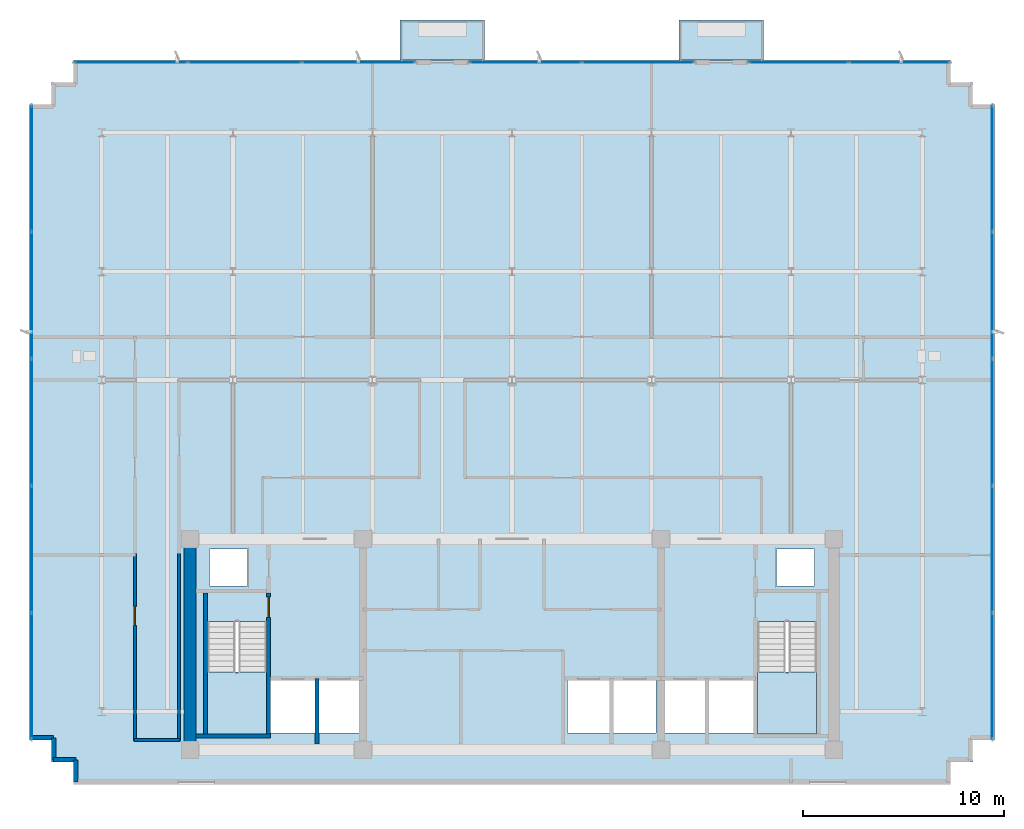
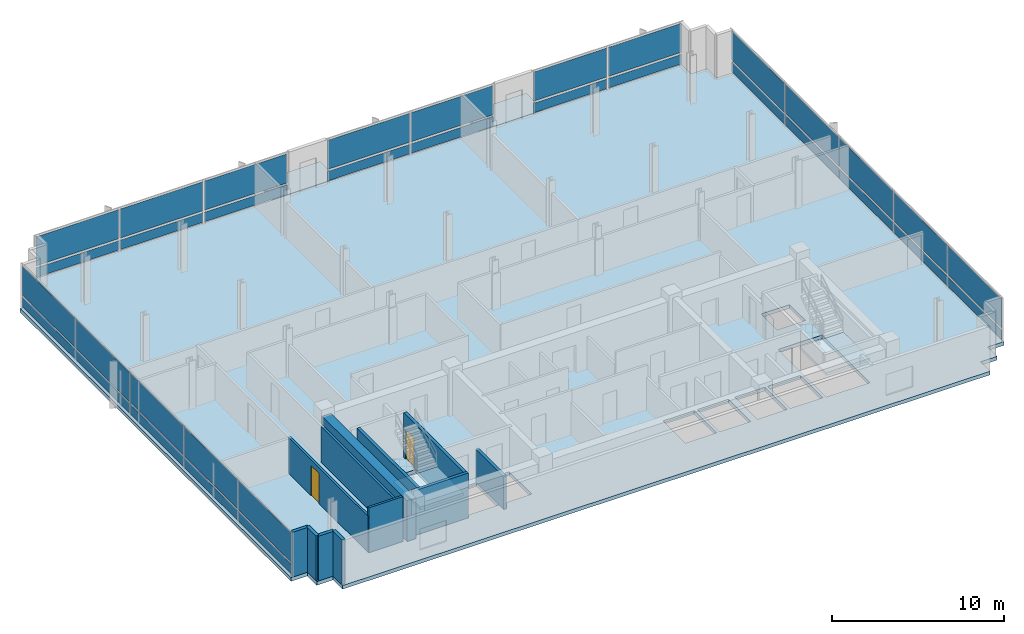
# One storey, part 7 of 13: 34 plates, 12 walls, 5 slabs, 2 doors, 2 openings, 7 elements without a shape of their own.
"""IFC4 building model written with IfcOpenShell, lengths in metres."""

from ifc_helpers import new_model, si_unit, direction, frame, frame_2d, origin, origin_2d, place, context, subcontext, project, spatial, polyline, rectangle, outline, extrude, material, layer, layer_set, type_object, element, fill, aggregate, save


model = new_model("IFC4")

# Units and contexts
model_context = context("Model", 3, precision=1e-05, world=origin(), true_north=direction((0.0, 1.0)))
body_context = subcontext(model_context, "Body", "Model", "MODEL_VIEW")
ifc_project = project(units=[si_unit("LENGTHUNIT", "METRE"), si_unit("AREAUNIT", "SQUARE_METRE"), si_unit("VOLUMEUNIT", "CUBIC_METRE"), si_unit("PLANEANGLEUNIT", "RADIAN"), si_unit("MASSUNIT", "GRAM", prefix="KILO")], contexts=[model_context])

# Site, building, storey
site_placement = place(None, origin())
site = spatial("IfcSite", under=ifc_project, at=site_placement, CompositionType="ELEMENT")
building_placement = place(site_placement, origin())
building = spatial("IfcBuilding", under=site, at=building_placement, Name="Solmavex Isthmus Hotel", CompositionType="ELEMENT")
storey_placement = place(building_placement, frame((0.0, 0.0, 276.449951171875)))
storey = spatial("IfcBuildingStorey", under=building, at=storey_placement, Name="L75", CompositionType="ELEMENT", Elevation=276.449951171875)

# Curtain wall, plates
ifc_material_1 = material(Name="Aluminium alloy 6063-T6", Category="aluminium")
curtain_wall_type = type_object("IfcCurtainWallType", Name="CW-SYS-04", PredefinedType="NOTDEFINED", material=ifc_material_1)
curtain_wall_1_placement = place(storey_placement, origin())
curtain_wall_1 = element("IfcCurtainWall", 1, at=curtain_wall_1_placement, inside=storey, type_object=curtain_wall_type, Name="Stick Curtain Wall CWL-L75-N1", PredefinedType="NOTDEFINED")
ifc_material_2 = material(Name="Clear low-E laminated glass", Category="glass")
ifc_layer_1 = layer(ifc_material_2, 0.033935546875)
ifc_layer_set_1 = layer_set([ifc_layer_1], Name="Clear low-E laminated glass")
plate_type = type_object("IfcPlateType", Name="CW-SYS-04-PNL", PredefinedType="CURTAIN_PANEL", material=ifc_layer_set_1)
plate_1_placement = place(storey_placement, frame((-18.942626953125, 21.179931640625, 0.14990234375), z_axis=(0.0, 0.0, 1.0), x_axis=(1.0, 0.0, 0.0)))
plate_1 = element("IfcPlate", 2, at=plate_1_placement, type_object=plate_type, Name="CW-04 panel 1.1", PredefinedType="CURTAIN_PANEL", context=body_context, shape_type="SweptSolid", body=[
    extrude(rectangle(XDim=5.56494140625, YDim=0.033935546875, at=origin_2d()), origin(), (0.0, 0.0, 1.0), 0.675048828125),
])
plate_2_placement = place(storey_placement, frame((-18.942626953125, 21.179931640625, 0.97509765625), z_axis=(0.0, 0.0, 1.0), x_axis=(1.0, 0.0, 0.0)))
plate_2 = element("IfcPlate", 3, at=plate_2_placement, type_object=plate_type, Name="CW-04 panel 1.2", PredefinedType="CURTAIN_PANEL", context=body_context, shape_type="SweptSolid", body=[
    extrude(rectangle(XDim=5.56494140625, YDim=0.033935546875, at=origin_2d()), origin(), (0.0, 0.0, 1.0), 2.06494140625),
])
plate_3_placement = place(storey_placement, frame((-13.283935546875, 21.179931640625, 0.14990234375), z_axis=(0.0, 0.0, 1.0), x_axis=(1.0, 0.0, 0.0)))
plate_3 = element("IfcPlate", 4, at=plate_3_placement, type_object=plate_type, Name="CW-04 panel 2.1", PredefinedType="CURTAIN_PANEL", context=body_context, shape_type="SweptSolid", body=[
    extrude(rectangle(XDim=5.602294921875, YDim=0.033935546875, at=origin_2d()), origin(), (0.0, 0.0, 1.0), 0.675048828125),
])
plate_4_placement = place(storey_placement, frame((-13.283935546875, 21.179931640625, 0.97509765625), z_axis=(0.0, 0.0, 1.0), x_axis=(1.0, 0.0, 0.0)))
plate_4 = element("IfcPlate", 5, at=plate_4_placement, type_object=plate_type, Name="CW-04 panel 2.2", PredefinedType="CURTAIN_PANEL", context=body_context, shape_type="SweptSolid", body=[
    extrude(rectangle(XDim=5.602294921875, YDim=0.033935546875, at=origin_2d()), origin(), (0.0, 0.0, 1.0), 2.06494140625),
])
plate_5_placement = place(storey_placement, frame((-7.62548828125, 21.179931640625, 0.14990234375), z_axis=(0.0, 0.0, 1.0), x_axis=(1.0, 0.0, 0.0)))
plate_5 = element("IfcPlate", 6, at=plate_5_placement, type_object=plate_type, Name="CW-04 panel 3.1", PredefinedType="CURTAIN_PANEL", context=body_context, shape_type="SweptSolid", body=[
    extrude(rectangle(XDim=5.56494140625, YDim=0.033935546875, at=origin_2d()), origin(), (0.0, 0.0, 1.0), 0.675048828125),
])
plate_6_placement = place(storey_placement, frame((-7.62548828125, 21.179931640625, 0.97509765625), z_axis=(0.0, 0.0, 1.0), x_axis=(1.0, 0.0, 0.0)))
plate_6 = element("IfcPlate", 7, at=plate_6_placement, type_object=plate_type, Name="CW-04 panel 3.2", PredefinedType="CURTAIN_PANEL", context=body_context, shape_type="SweptSolid", body=[
    extrude(rectangle(XDim=5.56494140625, YDim=0.033935546875, at=origin_2d()), origin(), (0.0, 0.0, 1.0), 2.06494140625),
])
aggregate(curtain_wall_1, [plate_1, plate_2, plate_3, plate_4, plate_5, plate_6])

curtain_wall_2_placement = place(storey_placement, origin())
curtain_wall_2 = element("IfcCurtainWall", 8, at=curtain_wall_2_placement, inside=storey, type_object=curtain_wall_type, Name="Stick Curtain Wall CWL-L75-N2", PredefinedType="NOTDEFINED")
plate_7_placement = place(storey_placement, frame((0.668701171875, 21.179931640625, 0.14990234375), z_axis=(0.0, 0.0, 1.0), x_axis=(1.0, 0.0, 0.0)))
plate_7 = element("IfcPlate", 9, at=plate_7_placement, type_object=plate_type, Name="CW-04 panel 1.1", PredefinedType="CURTAIN_PANEL", context=body_context, shape_type="SweptSolid", body=[
    extrude(rectangle(XDim=5.5234375, YDim=0.033935546875, at=origin_2d()), origin(), (0.0, 0.0, 1.0), 0.675048828125),
])
plate_8_placement = place(storey_placement, frame((0.668701171875, 21.179931640625, 0.97509765625), z_axis=(0.0, 0.0, 1.0), x_axis=(1.0, 0.0, 0.0)))
plate_8 = element("IfcPlate", 10, at=plate_8_placement, type_object=plate_type, Name="CW-04 panel 1.2", PredefinedType="CURTAIN_PANEL", context=body_context, shape_type="SweptSolid", body=[
    extrude(rectangle(XDim=5.5234375, YDim=0.033935546875, at=origin_2d()), origin(), (0.0, 0.0, 1.0), 2.06494140625),
])
plate_9_placement = place(storey_placement, frame((6.267333984375, 21.179931640625, 0.14990234375), z_axis=(0.0, 0.0, 1.0), x_axis=(1.0, 0.0, 0.0)))
plate_9 = element("IfcPlate", 11, at=plate_9_placement, type_object=plate_type, Name="CW-04 panel 2.1", PredefinedType="CURTAIN_PANEL", context=body_context, shape_type="SweptSolid", body=[
    extrude(rectangle(XDim=5.5234375, YDim=0.033935546875, at=origin_2d()), origin(), (0.0, 0.0, 1.0), 0.675048828125),
])
plate_10_placement = place(storey_placement, frame((6.267333984375, 21.179931640625, 0.97509765625), z_axis=(0.0, 0.0, 1.0), x_axis=(1.0, 0.0, 0.0)))
plate_10 = element("IfcPlate", 12, at=plate_10_placement, type_object=plate_type, Name="CW-04 panel 2.2", PredefinedType="CURTAIN_PANEL", context=body_context, shape_type="SweptSolid", body=[
    extrude(rectangle(XDim=5.5234375, YDim=0.033935546875, at=origin_2d()), origin(), (0.0, 0.0, 1.0), 2.06494140625),
])
aggregate(curtain_wall_2, [plate_7, plate_8, plate_9, plate_10])

curtain_wall_3_placement = place(storey_placement, origin())
curtain_wall_3 = element("IfcCurtainWall", 13, at=curtain_wall_3_placement, inside=storey, type_object=curtain_wall_type, Name="Stick Curtain Wall CWL-L75-N3", PredefinedType="NOTDEFINED")
plate_11_placement = place(storey_placement, frame((14.246826171875, 21.179931640625, 0.14990234375), z_axis=(0.0, 0.0, 1.0), x_axis=(1.0, 0.0, 0.0)))
plate_11 = element("IfcPlate", 14, at=plate_11_placement, type_object=plate_type, Name="CW-04 panel 1.1", PredefinedType="CURTAIN_PANEL", context=body_context, shape_type="SweptSolid", body=[
    extrude(rectangle(XDim=4.935546875, YDim=0.033935546875, at=origin_2d()), origin(), (0.0, 0.0, 1.0), 0.675048828125),
])
plate_12_placement = place(storey_placement, frame((14.246826171875, 21.179931640625, 0.97509765625), z_axis=(0.0, 0.0, 1.0), x_axis=(1.0, 0.0, 0.0)))
plate_12 = element("IfcPlate", 15, at=plate_12_placement, type_object=plate_type, Name="CW-04 panel 1.2", PredefinedType="CURTAIN_PANEL", context=body_context, shape_type="SweptSolid", body=[
    extrude(rectangle(XDim=4.935546875, YDim=0.033935546875, at=origin_2d()), origin(), (0.0, 0.0, 1.0), 2.06494140625),
])
plate_13_placement = place(storey_placement, frame((19.25732421875, 21.179931640625, 0.14990234375), z_axis=(0.0, 0.0, 1.0), x_axis=(1.0, 0.0, 0.0)))
plate_13 = element("IfcPlate", 16, at=plate_13_placement, type_object=plate_type, Name="CW-04 panel 2.1", PredefinedType="CURTAIN_PANEL", context=body_context, shape_type="SweptSolid", body=[
    extrude(rectangle(XDim=4.935546875, YDim=0.033935546875, at=origin_2d()), origin(), (0.0, 0.0, 1.0), 0.675048828125),
])
plate_14_placement = place(storey_placement, frame((19.25732421875, 21.179931640625, 0.97509765625), z_axis=(0.0, 0.0, 1.0), x_axis=(1.0, 0.0, 0.0)))
plate_14 = element("IfcPlate", 17, at=plate_14_placement, type_object=plate_type, Name="CW-04 panel 2.2", PredefinedType="CURTAIN_PANEL", context=body_context, shape_type="SweptSolid", body=[
    extrude(rectangle(XDim=4.935546875, YDim=0.033935546875, at=origin_2d()), origin(), (0.0, 0.0, 1.0), 2.06494140625),
])
aggregate(curtain_wall_3, [plate_11, plate_12, plate_13, plate_14])

curtain_wall_4_placement = place(storey_placement, origin())
curtain_wall_4 = element("IfcCurtainWall", 18, at=curtain_wall_4_placement, inside=storey, type_object=curtain_wall_type, Name="Stick Curtain Wall CWL-L75-W1", PredefinedType="NOTDEFINED")
plate_15_placement = place(storey_placement, frame((-23.8798828125, -9.3212890625, 0.14990234375), z_axis=(0.0, 0.0, 1.0), x_axis=(0.0, 1.0, 0.0)))
plate_15 = element("IfcPlate", 19, at=plate_15_placement, type_object=plate_type, Name="CW-04 panel 1.1", PredefinedType="CURTAIN_PANEL", context=body_context, shape_type="SweptSolid", body=[
    extrude(rectangle(XDim=6.20751953125, YDim=0.033935546875, at=origin_2d()), origin(), (0.0, 0.0, 1.0), 0.675048828125),
])
plate_16_placement = place(storey_placement, frame((-23.8798828125, -9.3212890625, 0.97509765625), z_axis=(0.0, 0.0, 1.0), x_axis=(0.0, 1.0, 0.0)))
plate_16 = element("IfcPlate", 20, at=plate_16_placement, type_object=plate_type, Name="CW-04 panel 1.2", PredefinedType="CURTAIN_PANEL", context=body_context, shape_type="SweptSolid", body=[
    extrude(rectangle(XDim=6.20751953125, YDim=0.033935546875, at=origin_2d()), origin(), (0.0, 0.0, 1.0), 2.06494140625),
])
plate_17_placement = place(storey_placement, frame((-23.8798828125, -3.02001953125, 0.14990234375), z_axis=(0.0, 0.0, 1.0), x_axis=(0.0, 1.0, 0.0)))
plate_17 = element("IfcPlate", 21, at=plate_17_placement, type_object=plate_type, Name="CW-04 panel 2.1", PredefinedType="CURTAIN_PANEL", context=body_context, shape_type="SweptSolid", body=[
    extrude(rectangle(XDim=6.2451171875, YDim=0.033935546875, at=origin_2d()), origin(), (0.0, 0.0, 1.0), 0.675048828125),
])
plate_18_placement = place(storey_placement, frame((-23.8798828125, -3.02001953125, 0.97509765625), z_axis=(0.0, 0.0, 1.0), x_axis=(0.0, 1.0, 0.0)))
plate_18 = element("IfcPlate", 22, at=plate_18_placement, type_object=plate_type, Name="CW-04 panel 2.2", PredefinedType="CURTAIN_PANEL", context=body_context, shape_type="SweptSolid", body=[
    extrude(rectangle(XDim=6.2451171875, YDim=0.033935546875, at=origin_2d()), origin(), (0.0, 0.0, 1.0), 2.06494140625),
])
plate_19_placement = place(storey_placement, frame((-23.8798828125, 3.300048828125, 0.14990234375), z_axis=(0.0, 0.0, 1.0), x_axis=(0.0, 1.0, 0.0)))
plate_19 = element("IfcPlate", 23, at=plate_19_placement, type_object=plate_type, Name="CW-04 panel 3.1", PredefinedType="CURTAIN_PANEL", context=body_context, shape_type="SweptSolid", body=[
    extrude(rectangle(XDim=6.2451171875, YDim=0.033935546875, at=origin_2d()), origin(), (0.0, 0.0, 1.0), 0.675048828125),
])
plate_20_placement = place(storey_placement, frame((-23.8798828125, 3.300048828125, 0.97509765625), z_axis=(0.0, 0.0, 1.0), x_axis=(0.0, 1.0, 0.0)))
plate_20 = element("IfcPlate", 24, at=plate_20_placement, type_object=plate_type, Name="CW-04 panel 3.2", PredefinedType="CURTAIN_PANEL", context=body_context, shape_type="SweptSolid", body=[
    extrude(rectangle(XDim=6.2451171875, YDim=0.033935546875, at=origin_2d()), origin(), (0.0, 0.0, 1.0), 2.06494140625),
])
plate_21_placement = place(storey_placement, frame((-23.8798828125, 9.6201171875, 0.14990234375), z_axis=(0.0, 0.0, 1.0), x_axis=(0.0, 1.0, 0.0)))
plate_21 = element("IfcPlate", 25, at=plate_21_placement, type_object=plate_type, Name="CW-04 panel 4.1", PredefinedType="CURTAIN_PANEL", context=body_context, shape_type="SweptSolid", body=[
    extrude(rectangle(XDim=6.2451171875, YDim=0.033935546875, at=origin_2d()), origin(), (0.0, 0.0, 1.0), 0.675048828125),
])
plate_22_placement = place(storey_placement, frame((-23.8798828125, 9.6201171875, 0.97509765625), z_axis=(0.0, 0.0, 1.0), x_axis=(0.0, 1.0, 0.0)))
plate_22 = element("IfcPlate", 26, at=plate_22_placement, type_object=plate_type, Name="CW-04 panel 4.2", PredefinedType="CURTAIN_PANEL", context=body_context, shape_type="SweptSolid", body=[
    extrude(rectangle(XDim=6.2451171875, YDim=0.033935546875, at=origin_2d()), origin(), (0.0, 0.0, 1.0), 2.06494140625),
])
plate_23_placement = place(storey_placement, frame((-23.8798828125, 15.921142578125, 0.14990234375), z_axis=(0.0, 0.0, 1.0), x_axis=(0.0, 1.0, 0.0)))
plate_23 = element("IfcPlate", 27, at=plate_23_placement, type_object=plate_type, Name="CW-04 panel 5.1", PredefinedType="CURTAIN_PANEL", context=body_context, shape_type="SweptSolid", body=[
    extrude(rectangle(XDim=6.20751953125, YDim=0.033935546875, at=origin_2d()), origin(), (0.0, 0.0, 1.0), 0.675048828125),
])
plate_24_placement = place(storey_placement, frame((-23.8798828125, 15.921142578125, 0.97509765625), z_axis=(0.0, 0.0, 1.0), x_axis=(0.0, 1.0, 0.0)))
plate_24 = element("IfcPlate", 28, at=plate_24_placement, type_object=plate_type, Name="CW-04 panel 5.2", PredefinedType="CURTAIN_PANEL", context=body_context, shape_type="SweptSolid", body=[
    extrude(rectangle(XDim=6.20751953125, YDim=0.033935546875, at=origin_2d()), origin(), (0.0, 0.0, 1.0), 2.06494140625),
])
aggregate(curtain_wall_4, [plate_15, plate_16, plate_17, plate_18, plate_19, plate_20, plate_21, plate_22, plate_23, plate_24])

curtain_wall_5_placement = place(storey_placement, origin())
curtain_wall_5 = element("IfcCurtainWall", 29, at=curtain_wall_5_placement, inside=storey, type_object=curtain_wall_type, Name="Stick Curtain Wall CWL-L75-E1", PredefinedType="NOTDEFINED")
plate_25_placement = place(storey_placement, frame((23.8798828125, -9.3212890625, 0.14990234375), z_axis=(0.0, 0.0, 1.0), x_axis=(0.0, 1.0, 0.0)))
plate_25 = element("IfcPlate", 30, at=plate_25_placement, type_object=plate_type, Name="CW-04 panel 1.1", PredefinedType="CURTAIN_PANEL", context=body_context, shape_type="SweptSolid", body=[
    extrude(rectangle(XDim=6.20751953125, YDim=0.033935546875, at=origin_2d()), origin(), (0.0, 0.0, 1.0), 0.675048828125),
])
plate_26_placement = place(storey_placement, frame((23.8798828125, -9.3212890625, 0.97509765625), z_axis=(0.0, 0.0, 1.0), x_axis=(0.0, 1.0, 0.0)))
plate_26 = element("IfcPlate", 31, at=plate_26_placement, type_object=plate_type, Name="CW-04 panel 1.2", PredefinedType="CURTAIN_PANEL", context=body_context, shape_type="SweptSolid", body=[
    extrude(rectangle(XDim=6.20751953125, YDim=0.033935546875, at=origin_2d()), origin(), (0.0, 0.0, 1.0), 2.06494140625),
])
plate_27_placement = place(storey_placement, frame((23.8798828125, -3.02001953125, 0.14990234375), z_axis=(0.0, 0.0, 1.0), x_axis=(0.0, 1.0, 0.0)))
plate_27 = element("IfcPlate", 32, at=plate_27_placement, type_object=plate_type, Name="CW-04 panel 2.1", PredefinedType="CURTAIN_PANEL", context=body_context, shape_type="SweptSolid", body=[
    extrude(rectangle(XDim=6.2451171875, YDim=0.033935546875, at=origin_2d()), origin(), (0.0, 0.0, 1.0), 0.675048828125),
])
plate_28_placement = place(storey_placement, frame((23.8798828125, -3.02001953125, 0.97509765625), z_axis=(0.0, 0.0, 1.0), x_axis=(0.0, 1.0, 0.0)))
plate_28 = element("IfcPlate", 33, at=plate_28_placement, type_object=plate_type, Name="CW-04 panel 2.2", PredefinedType="CURTAIN_PANEL", context=body_context, shape_type="SweptSolid", body=[
    extrude(rectangle(XDim=6.2451171875, YDim=0.033935546875, at=origin_2d()), origin(), (0.0, 0.0, 1.0), 2.06494140625),
])
plate_29_placement = place(storey_placement, frame((23.8798828125, 3.300048828125, 0.14990234375), z_axis=(0.0, 0.0, 1.0), x_axis=(0.0, 1.0, 0.0)))
plate_29 = element("IfcPlate", 34, at=plate_29_placement, type_object=plate_type, Name="CW-04 panel 3.1", PredefinedType="CURTAIN_PANEL", context=body_context, shape_type="SweptSolid", body=[
    extrude(rectangle(XDim=6.2451171875, YDim=0.033935546875, at=origin_2d()), origin(), (0.0, 0.0, 1.0), 0.675048828125),
])
plate_30_placement = place(storey_placement, frame((23.8798828125, 3.300048828125, 0.97509765625), z_axis=(0.0, 0.0, 1.0), x_axis=(0.0, 1.0, 0.0)))
plate_30 = element("IfcPlate", 35, at=plate_30_placement, type_object=plate_type, Name="CW-04 panel 3.2", PredefinedType="CURTAIN_PANEL", context=body_context, shape_type="SweptSolid", body=[
    extrude(rectangle(XDim=6.2451171875, YDim=0.033935546875, at=origin_2d()), origin(), (0.0, 0.0, 1.0), 2.06494140625),
])
plate_31_placement = place(storey_placement, frame((23.8798828125, 9.6201171875, 0.14990234375), z_axis=(0.0, 0.0, 1.0), x_axis=(0.0, 1.0, 0.0)))
plate_31 = element("IfcPlate", 36, at=plate_31_placement, type_object=plate_type, Name="CW-04 panel 4.1", PredefinedType="CURTAIN_PANEL", context=body_context, shape_type="SweptSolid", body=[
    extrude(rectangle(XDim=6.2451171875, YDim=0.033935546875, at=origin_2d()), origin(), (0.0, 0.0, 1.0), 0.675048828125),
])
plate_32_placement = place(storey_placement, frame((23.8798828125, 9.6201171875, 0.97509765625), z_axis=(0.0, 0.0, 1.0), x_axis=(0.0, 1.0, 0.0)))
plate_32 = element("IfcPlate", 37, at=plate_32_placement, type_object=plate_type, Name="CW-04 panel 4.2", PredefinedType="CURTAIN_PANEL", context=body_context, shape_type="SweptSolid", body=[
    extrude(rectangle(XDim=6.2451171875, YDim=0.033935546875, at=origin_2d()), origin(), (0.0, 0.0, 1.0), 2.06494140625),
])
plate_33_placement = place(storey_placement, frame((23.8798828125, 15.921142578125, 0.14990234375), z_axis=(0.0, 0.0, 1.0), x_axis=(0.0, 1.0, 0.0)))
plate_33 = element("IfcPlate", 38, at=plate_33_placement, type_object=plate_type, Name="CW-04 panel 5.1", PredefinedType="CURTAIN_PANEL", context=body_context, shape_type="SweptSolid", body=[
    extrude(rectangle(XDim=6.20751953125, YDim=0.033935546875, at=origin_2d()), origin(), (0.0, 0.0, 1.0), 0.675048828125),
])
plate_34_placement = place(storey_placement, frame((23.8798828125, 15.921142578125, 0.97509765625), z_axis=(0.0, 0.0, 1.0), x_axis=(0.0, 1.0, 0.0)))
plate_34 = element("IfcPlate", 39, at=plate_34_placement, type_object=plate_type, Name="CW-04 panel 5.2", PredefinedType="CURTAIN_PANEL", context=body_context, shape_type="SweptSolid", body=[
    extrude(rectangle(XDim=6.20751953125, YDim=0.033935546875, at=origin_2d()), origin(), (0.0, 0.0, 1.0), 2.06494140625),
])
aggregate(curtain_wall_5, [plate_25, plate_26, plate_27, plate_28, plate_29, plate_30, plate_31, plate_32, plate_33, plate_34])

# Slabs
ifc_material_3 = material(Name="Concrete C40/50", Category="concrete")
ifc_layer_2 = layer(ifc_material_3, 0.239990234375)
ifc_layer_set_2 = layer_set([ifc_layer_2], Name="Concrete C40/50")
slab_type_1 = type_object("IfcSlabType", Name="SLAB-BALC-240", PredefinedType="FLOOR", material=ifc_layer_set_2)
slab_1_placement = place(storey_placement, frame((0.0, 0.0, -0.239990234375)))
element("IfcSlab", 40, at=slab_1_placement, inside=storey, type_object=slab_type_1, Name="Tree-Planter Balcony Slab L75-B1", PredefinedType="FLOOR", context=body_context, shape_type="SweptSolid", body=[
    extrude(outline(polyline([(-5.568115234375, 21.31494140625), (-1.367919921875, 21.31494140625), (-1.367919921875, 23.300048828125), (-5.568115234375, 23.300048828125), (-5.568115234375, 21.31494140625)])), origin(), (0.0, 0.0, 1.0), 0.239990234375),
])
slab_2_placement = place(storey_placement, frame((0.0, 0.0, -0.239990234375)))
element("IfcSlab", 41, at=slab_2_placement, inside=storey, type_object=slab_type_1, Name="Tree-Planter Balcony Slab L75-B2", PredefinedType="FLOOR", context=body_context, shape_type="SweptSolid", body=[
    extrude(outline(polyline([(8.303955078125, 21.31494140625), (12.50390625, 21.31494140625), (12.50390625, 23.300048828125), (8.303955078125, 23.300048828125), (8.303955078125, 21.31494140625)])), origin(), (0.0, 0.0, 1.0), 0.239990234375),
])
ifc_layer_3 = layer(ifc_material_3, 0.260009765625)
ifc_layer_set_3 = layer_set([ifc_layer_3], Name="Concrete C40/50")
slab_type_2 = type_object("IfcSlabType", Name="SLAB-TYP-260", PredefinedType="FLOOR", material=ifc_layer_set_3)
slab_3_placement = place(storey_placement, frame((0.0, 0.0, -0.260009765625)))
element("IfcSlab", 42, at=slab_3_placement, inside=storey, type_object=slab_type_2, Name="Tower Structural Floor Slab L75", PredefinedType="FLOOR", context=body_context, shape_type="SweptSolid", body=[
    extrude(outline(polyline([(-20.699951171875, -14.699951171875), (20.699951171875, -14.699951171875), (21.800048828125, -14.699951171875), (21.800048828125, -13.60009765625), (22.89990234375, -13.60009765625), (22.89990234375, -12.5), (24.0, -12.5), (24.0, -11.39990234375), (24.0, 18.0), (24.0, 19.10009765625), (22.89990234375, 19.10009765625), (22.89990234375, 20.199951171875), (21.800048828125, 20.199951171875), (21.800048828125, 21.300048828125), (20.699951171875, 21.300048828125), (-20.699951171875, 21.300048828125), (-21.800048828125, 21.300048828125), (-21.800048828125, 20.199951171875), (-22.89990234375, 20.199951171875), (-22.89990234375, 19.10009765625), (-24.0, 19.10009765625), (-24.0, 18.0), (-24.0, -11.39990234375), (-24.0, -12.5), (-22.89990234375, -12.5), (-22.89990234375, -13.60009765625), (-21.800048828125, -13.60009765625), (-21.800048828125, -14.699951171875), (-20.699951171875, -14.699951171875)]), holes=[polyline([(-15.14990234375, -6.617919921875), (-15.14990234375, -12.199951171875), (-12.199951171875, -12.199951171875), (-12.199951171875, -6.617919921875), (-15.14990234375, -6.617919921875)]), polyline([(12.199951171875, -6.617919921875), (12.199951171875, -12.199951171875), (15.14990234375, -12.199951171875), (15.14990234375, -6.617919921875), (12.199951171875, -6.617919921875)]), polyline([(-12.0, -12.14990234375), (-9.800048828125, -12.14990234375), (-9.800048828125, -9.550048828125), (-12.0, -9.550048828125), (-12.0, -12.14990234375)]), polyline([(9.800048828125, -12.14990234375), (12.0, -12.14990234375), (12.0, -9.550048828125), (9.800048828125, -9.550048828125), (9.800048828125, -12.14990234375)]), polyline([(-9.60009765625, -12.14990234375), (-7.60009765625, -12.14990234375), (-7.60009765625, -9.550048828125), (-9.60009765625, -9.550048828125), (-9.60009765625, -12.14990234375)]), polyline([(7.60009765625, -12.14990234375), (9.60009765625, -12.14990234375), (9.60009765625, -9.550048828125), (7.60009765625, -9.550048828125), (7.60009765625, -12.14990234375)]), polyline([(2.75, -12.14990234375), (4.85009765625, -12.14990234375), (4.85009765625, -9.550048828125), (2.75, -9.550048828125), (2.75, -12.14990234375)]), polyline([(5.050048828125, -12.14990234375), (7.14990234375, -12.14990234375), (7.14990234375, -9.550048828125), (5.050048828125, -9.550048828125), (5.050048828125, -12.14990234375)]), polyline([(-15.050048828125, -4.85009765625), (-13.14990234375, -4.85009765625), (-13.14990234375, -3.0), (-15.050048828125, -3.0), (-15.050048828125, -4.85009765625)]), polyline([(13.14990234375, -4.85009765625), (15.050048828125, -4.85009765625), (15.050048828125, -3.0), (13.14990234375, -3.0), (13.14990234375, -4.85009765625)])]), origin(), (0.0, 0.0, 1.0), 0.260009765625),
])

# Stair, slab
stair_type_1 = type_object("IfcStairType", Name="STR-ST-1", PredefinedType="HALF_TURN_STAIR", material=ifc_material_3)
stair_1_placement = place(storey_placement, origin())
stair_1 = element("IfcStair", 43, at=stair_1_placement, inside=storey, type_object=stair_type_1, Name="L75 Protected Exit Stair ST-1", PredefinedType="HALF_TURN_STAIR")
ifc_layer_4 = layer(ifc_material_3, 0.219970703125)
ifc_layer_set_4 = layer_set([ifc_layer_4], Name="Concrete C40/50")
slab_type_3 = type_object("IfcSlabType", Name="SLD-ST-1", PredefinedType="LANDING", material=ifc_layer_set_4)
slab_4_placement = place(storey_placement, frame((0.0, 0.0, 1.525146484375)))
slab_4 = element("IfcSlab", 44, at=slab_4_placement, type_object=slab_type_3, Name="ST-1 landing 1", PredefinedType="LANDING", context=body_context, shape_type="SweptSolid", body=[
    extrude(outline(polyline([(-15.14990234375, -9.1201171875), (-15.14990234375, -12.199951171875), (-12.199951171875, -12.199951171875), (-12.199951171875, -9.1201171875), (-15.14990234375, -9.1201171875)])), origin(), (0.0, 0.0, 1.0), 0.199951171875),
])
aggregate(stair_1, [slab_4])

stair_type_2 = type_object("IfcStairType", Name="STR-ST-2", PredefinedType="HALF_TURN_STAIR", material=ifc_material_3)
stair_2_placement = place(storey_placement, origin())
stair_2 = element("IfcStair", 45, at=stair_2_placement, inside=storey, type_object=stair_type_2, Name="L75 Protected Exit Stair ST-2", PredefinedType="HALF_TURN_STAIR")
ifc_layer_5 = layer(ifc_material_3, 0.219970703125)
ifc_layer_set_5 = layer_set([ifc_layer_5], Name="Concrete C40/50")
slab_type_4 = type_object("IfcSlabType", Name="SLD-ST-2", PredefinedType="LANDING", material=ifc_layer_set_5)
slab_5_placement = place(storey_placement, frame((0.0, 0.0, 1.525146484375)))
slab_5 = element("IfcSlab", 46, at=slab_5_placement, type_object=slab_type_4, Name="ST-2 landing 1", PredefinedType="LANDING", context=body_context, shape_type="SweptSolid", body=[
    extrude(outline(polyline([(12.199951171875, -9.1201171875), (12.199951171875, -12.199951171875), (15.14990234375, -12.199951171875), (15.14990234375, -9.1201171875), (12.199951171875, -9.1201171875)])), origin(), (0.0, 0.0, 1.0), 0.199951171875),
])
aggregate(stair_2, [slab_5])

# Walls
ifc_material_4 = material(Name="Precast Concrete C40/50", Category="concrete")
ifc_layer_6 = layer(ifc_material_4, 0.25)
ifc_layer_set_6 = layer_set([ifc_layer_6], Name="Precast Concrete C40/50")
wall_type_1 = type_object("IfcWallType", Name="EW-TWR-250", PredefinedType="STANDARD", material=ifc_layer_set_6)
for number, where, z_axis, x_axis, name in (
    (47, (-21.68994140625, -14.590087890625, 0.0), (0.0, 0.0, 1.0), (0.0, 1.0, 0.0), "Serrated Corner Facade Panel L75-01"),
    (48, (-21.68994140625, -13.489990234375, 0.0), (0.0, 0.0, 1.0), (-1.0, 0.0, 0.0), "Serrated Corner Facade Panel L75-02"),
    (49, (-22.7900390625, -13.489990234375, 0.0), (0.0, 0.0, 1.0), (0.0, 1.0, 0.0), "Serrated Corner Facade Panel L75-03"),
):
    element("IfcWall", number, at=place(storey_placement, frame(where, z_axis=z_axis, x_axis=x_axis)), inside=storey, type_object=wall_type_1, Name=name, PredefinedType="STANDARD", context=body_context, shape_type="SweptSolid", body=[
        extrude(rectangle(XDim=1.10009765625, YDim=0.219970703125, at=frame_2d((0.550048828125, 0.0))), origin(), (0.0, 0.0, 1.0), 3.18994140625),
    ])
wall_1_placement = place(storey_placement, frame((-22.7900390625, -12.389892578125, 0.0), z_axis=(0.0, 0.0, 1.0), x_axis=(-1.0, 0.0, 0.0)))
element("IfcWall", 50, at=wall_1_placement, inside=storey, type_object=wall_type_1, Name="Serrated Corner Facade Panel L75-04", PredefinedType="STANDARD", context=body_context, shape_type="SweptSolid", body=[
    extrude(rectangle(XDim=1.099853515625, YDim=0.219970703125, at=frame_2d((0.5498046875, 0.0))), origin(), (0.0, 0.0, 1.0), 3.18994140625),
])
ifc_material_5 = material(Name="Gypsum plasterboard lining", Category="gypsum")
ifc_layer_7 = layer(ifc_material_5, 0.14990234375)
ifc_layer_set_7 = layer_set([ifc_layer_7], Name="Gypsum plasterboard lining")
wall_type_2 = type_object("IfcWallType", Name="IW-CORR-150", PredefinedType="PARTITIONING", material=ifc_layer_set_7)
wall_2_placement = place(storey_placement, frame((-16.550048828125, -3.218017578125, 0.0), z_axis=(0.0, 0.0, 1.0), x_axis=(0.0, -1.0, 0.0)))
element("IfcWall", 51, at=wall_2_placement, inside=storey, type_object=wall_type_2, Name="Interior Partition Wall W-L75-P024", PredefinedType="PARTITIONING", context=body_context, shape_type="SweptSolid", body=[
    extrude(rectangle(XDim=9.322021484375, YDim=0.14990234375, at=frame_2d((4.6611328125, 0.0))), origin(), (0.0, 0.0, 1.0), 2.5576171875),
])
wall_3_placement = place(storey_placement, frame((-16.510009765625, -12.5, 0.0), z_axis=(0.0, 0.0, 1.0), x_axis=(-1.0, 0.0, 0.0)))
element("IfcWall", 52, at=wall_3_placement, inside=storey, type_object=wall_type_2, Name="Interior Partition Wall W-L75-P025", PredefinedType="PARTITIONING", context=body_context, shape_type="SweptSolid", body=[
    extrude(rectangle(XDim=2.280029296875, YDim=0.14990234375, at=frame_2d((1.14013671875, 0.0))), origin(), (0.0, 0.0, 1.0), 3.18994140625),
])

# Wall, opening, door
wall_4_placement = place(storey_placement, frame((-18.75, -12.5400390625, 0.0), z_axis=(0.0, 0.0, 1.0), x_axis=(0.0, 1.0, 0.0)))
wall_4 = element("IfcWall", 53, at=wall_4_placement, inside=storey, type_object=wall_type_2, Name="Interior Partition Wall W-L75-P026", PredefinedType="PARTITIONING", context=body_context, shape_type="SweptSolid", body=[
    extrude(rectangle(XDim=9.322021484375, YDim=0.14990234375, at=frame_2d((4.6611328125, 0.0))), origin(), (0.0, 0.0, 1.0), 2.5576171875),
])
opening_1_placement = place(wall_4_placement, frame((5.73876953125, 0.0, 0.0)))
opening_1 = element("IfcOpeningElement", 54, at=opening_1_placement, cuts=wall_4, Name="Opening ID-C095", PredefinedType="OPENING", context=body_context, shape_type="SweptSolid", body=[
    extrude(rectangle(XDim=0.949951171875, YDim=2.14990234375, at=frame_2d((0.47509765625, 1.074951171875))), frame((0.0, 0.0849609375, 0.0), z_axis=(0.0, -1.0, 0.0), x_axis=(1.0, 0.0, 0.0)), (0.0, 0.0, 1.0), 0.169921875),
])
ifc_material_6 = material(Name="Hardwood timber", Category="wood")
door_type_1 = type_object("IfcDoorType", Name="IDR-FD60-0950", OperationType="NOTDEFINED", PredefinedType="DOOR", material=ifc_material_6)
door_1_placement = place(opening_1_placement, origin())
door_1 = element("IfcDoor", 55, at=door_1_placement, inside=storey, type_object=door_type_1, Name="Executive Hospitality Lounge Door L75-12", OperationType="SINGLE_SWING_RIGHT", OverallHeight=2.14990234375, OverallWidth=0.949951171875, PredefinedType="DOOR", context=body_context, shape_type="SweptSolid", body=[
    extrude(rectangle(XDim=0.949951171875, YDim=2.14990234375, at=frame_2d((0.47509765625, 1.074951171875))), frame((0.0, 0.02490234375, 0.0), z_axis=(0.0, -1.0, 0.0), x_axis=(1.0, 0.0, 0.0)), (0.0, 0.0, 1.0), 0.050048828125),
])
fill(opening_1, door_1)

# Walls
ifc_layer_8 = layer(ifc_material_3, 0.199951171875)
ifc_layer_set_8 = layer_set([ifc_layer_8], Name="Concrete C40/50")
wall_type_3 = type_object("IfcWallType", Name="IW-SHAFT-200", PredefinedType="PARTITIONING", material=ifc_layer_set_8)
wall_5_placement = place(storey_placement, frame((-9.699951171875, -12.699951171875, 0.0), z_axis=(0.0, 0.0, 1.0), x_axis=(0.0, 1.0, 0.0)))
element("IfcWall", 56, at=wall_5_placement, inside=storey, type_object=wall_type_3, Name="Interior Partition Wall W-L75-FFLW-M", PredefinedType="PARTITIONING", context=body_context, shape_type="SweptSolid", body=[
    extrude(rectangle(XDim=3.25, YDim=0.199951171875, at=frame_2d((1.625, 0.0))), origin(), (0.0, 0.0, 1.0), 2.324951171875),
])
ifc_material_7 = material(Name="Concrete C50/60", Category="concrete")
ifc_layer_9 = layer(ifc_material_7, 0.60009765625)
ifc_layer_set_9 = layer_set([ifc_layer_9], Name="Concrete C50/60")
wall_type_4 = type_object("IfcWallType", Name="WALL-CW-600", PredefinedType="SHEAR", material=ifc_layer_set_9)
wall_6_placement = place(storey_placement, frame((-16.0, -12.699951171875, 0.0), z_axis=(0.0, 0.0, 1.0), x_axis=(0.0, 1.0, 0.0)))
element("IfcWall", 57, at=wall_6_placement, inside=storey, type_object=wall_type_4, Name="Core Shear Wall West L75", PredefinedType="SHEAR", context=body_context, shape_type="SweptSolid", body=[
    extrude(rectangle(XDim=9.89990234375, YDim=0.60009765625, at=frame_2d((4.949951171875, 0.0))), origin(), (0.0, 0.0, 1.0), 2.91015625),
])
ifc_layer_10 = layer(ifc_material_3, 0.199951171875)
ifc_layer_set_10 = layer_set([ifc_layer_10], Name="Concrete C40/50")
wall_type_5 = type_object("IfcWallType", Name="WALL-SW-200", PredefinedType="SOLIDWALL", material=ifc_layer_set_10)
wall_7_placement = place(storey_placement, frame((-15.699951171875, -12.300048828125, 0.0), z_axis=(0.0, 0.0, 1.0), x_axis=(1.0, 0.0, 0.0)))
element("IfcWall", 58, at=wall_7_placement, inside=storey, type_object=wall_type_5, Name="Stairwell Structural Wall SW-L75-ST1-S", PredefinedType="SOLIDWALL", context=body_context, shape_type="SweptSolid", body=[
    extrude(rectangle(XDim=3.699951171875, YDim=0.199951171875, at=frame_2d((1.85009765625, 0.0))), origin(), (0.0, 0.0, 1.0), 3.18994140625),
])
wall_8_placement = place(storey_placement, frame((-15.25, -12.199951171875, 0.0), z_axis=(0.0, 0.0, 1.0), x_axis=(0.0, 1.0, 0.0)))
element("IfcWall", 59, at=wall_8_placement, inside=storey, type_object=wall_type_5, Name="Stairwell Structural Wall SW-L75-ST1-W", PredefinedType="SOLIDWALL", context=body_context, shape_type="SweptSolid", body=[
    extrude(rectangle(XDim=7.0, YDim=0.199951171875, at=frame_2d((3.5, 0.0))), origin(), (0.0, 0.0, 1.0), 3.18994140625),
])

# Wall, opening, door
wall_9_placement = place(storey_placement, frame((-12.10009765625, -12.199951171875, 0.0), z_axis=(0.0, 0.0, 1.0), x_axis=(0.0, 1.0, 0.0)))
wall_9 = element("IfcWall", 60, at=wall_9_placement, inside=storey, type_object=wall_type_5, Name="Stairwell Structural Wall SW-L75-ST1-E", PredefinedType="SOLIDWALL", context=body_context, shape_type="SweptSolid", body=[
    extrude(rectangle(XDim=7.0, YDim=0.199951171875, at=frame_2d((3.5, 0.0))), origin(), (0.0, 0.0, 1.0), 3.18994140625),
])
opening_2_placement = place(wall_9_placement, frame((5.800048828125, 0.0, 0.0)))
opening_2 = element("IfcOpeningElement", 61, at=opening_2_placement, cuts=wall_9, Name="Opening ID-F100", PredefinedType="OPENING", context=body_context, shape_type="SweptSolid", body=[
    extrude(rectangle(XDim=1.0, YDim=2.10009765625, at=frame_2d((0.5, 1.050048828125))), frame((0.0, 0.10986328125, 0.0), z_axis=(0.0, -1.0, 0.0), x_axis=(1.0, 0.0, 0.0)), (0.0, 0.0, 1.0), 0.219970703125),
])
ifc_material_8 = material(Name="Steel ASTM A500 Grade C", Category="steel")
door_type_2 = type_object("IfcDoorType", Name="IDR-FD90-1000", OperationType="NOTDEFINED", PredefinedType="DOOR", material=ifc_material_8)
door_2_placement = place(opening_2_placement, frame((1.0, 0.0, 0.0), z_axis=(0.0, 0.0, 1.0), x_axis=(-1.0, 0.0, 0.0)))
door_2 = element("IfcDoor", 62, at=door_2_placement, inside=storey, type_object=door_type_2, Name="Stair ST-1 Fire Door L75", OperationType="SINGLE_SWING_LEFT", OverallHeight=2.10009765625, OverallWidth=1.0, PredefinedType="DOOR", context=body_context, shape_type="SweptSolid", body=[
    extrude(rectangle(XDim=1.0, YDim=2.10009765625, at=frame_2d((0.5, 1.050048828125))), frame((0.0, 0.02490234375, 0.0), z_axis=(0.0, -1.0, 0.0), x_axis=(1.0, 0.0, 0.0)), (0.0, 0.0, 1.0), 0.050048828125),
])
fill(opening_2, door_2)

save(model, "model.ifc")
